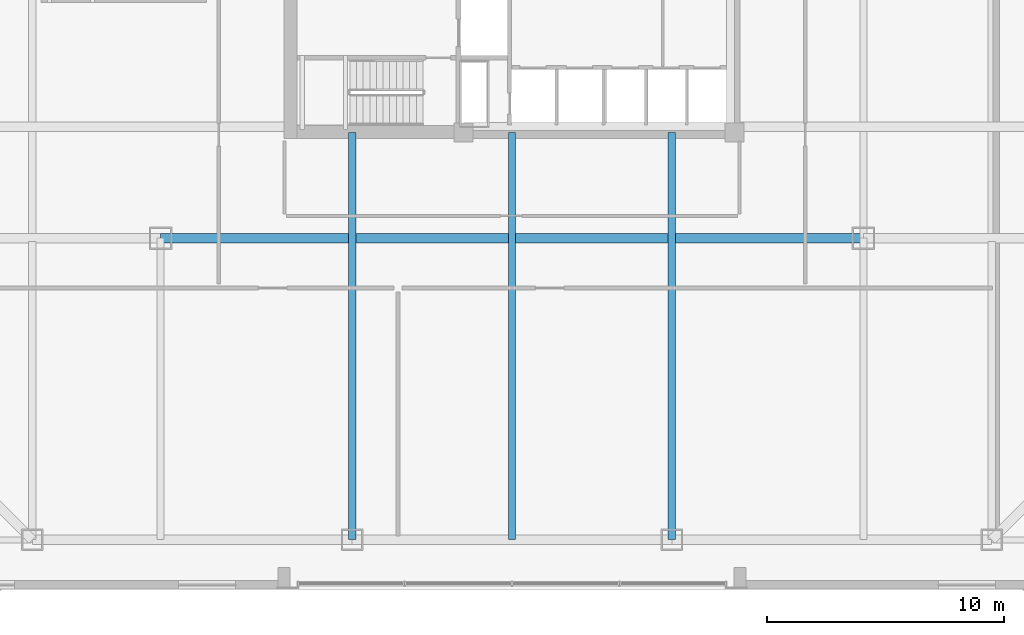
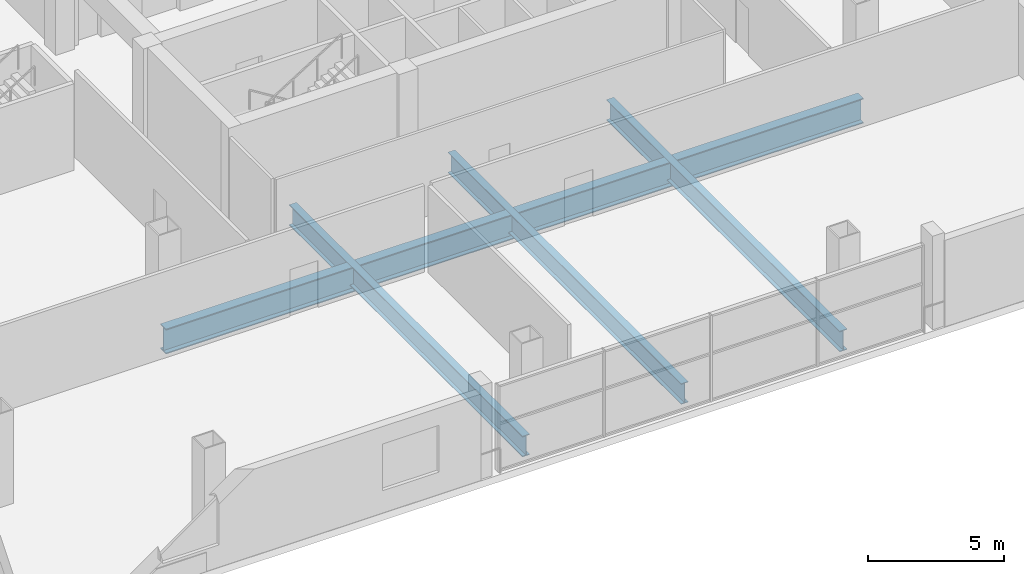
# One storey, part 5 of 21: 4 beams.
"""IFC4 building model written with IfcOpenShell, lengths in metres."""

from ifc_helpers import new_model, si_unit, direction, frame, origin, origin_2d, place, context, subcontext, project, spatial, i_section, extrude, material, material_profile, profile_set, type_object, element, save


model = new_model("IFC4")

# Units and contexts
model_context = context("Model", 3, precision=1e-05, world=origin(), true_north=direction((0.0, 1.0)))
body_context = subcontext(model_context, "Body", "Model", "MODEL_VIEW")
ifc_project = project(units=[si_unit("LENGTHUNIT", "METRE"), si_unit("AREAUNIT", "SQUARE_METRE"), si_unit("VOLUMEUNIT", "CUBIC_METRE"), si_unit("PLANEANGLEUNIT", "RADIAN"), si_unit("MASSUNIT", "GRAM", prefix="KILO")], contexts=[model_context])

# Site, building, storey
site_placement = place(None, origin())
site = spatial("IfcSite", under=ifc_project, at=site_placement, CompositionType="ELEMENT")
building_placement = place(site_placement, origin())
building = spatial("IfcBuilding", under=site, at=building_placement, Name="Qhalaya Broadcast Tower", CompositionType="ELEMENT")
storey_placement = place(building_placement, frame((0.0, 0.0, 13.5)))
storey = spatial("IfcBuildingStorey", under=building, at=storey_placement, Name="L03", CompositionType="ELEMENT", Elevation=13.5)

# Beams
ifc_material = material(Name="Structural Steel ASTM A992 Grade 50", Category="steel")
ifc_material_profile_1 = material_profile(ifc_material, i_section(OverallWidth=0.306884765625, OverallDepth=0.927001953125, WebThickness=0.019287109375, FlangeThickness=0.031982421875, at=origin_2d()), Name="W36X194")
ifc_profile_set_1 = profile_set([ifc_material_profile_1], Name="Structural Steel ASTM A992 Grade 50")
beam_type_1 = type_object("IfcBeamType", Name="Heavy Studio Floor Beam B01", PredefinedType="BEAM", material=ifc_profile_set_1)
for number, where, z_axis, x_axis, name in (
    (1, (-6.7333984375, -25.89990234375, -0.783447265625), (0.0, 1.0, 0.0), (-1.0, 0.0, 0.0), "L03 B01 L03-JS-CS-6.7"),
    (2, (0.0, -25.89990234375, -0.783447265625), (0.0, 1.0, 0.0), (-1.0, 0.0, 0.0), "L03 B01 L03-JS-CS+0.0"),
    (3, (6.7333984375, -25.89990234375, -0.783447265625), (0.0, 1.0, 0.0), (-1.0, 0.0, 0.0), "L03 B01 L03-JS-CS+6.7"),
):
    element("IfcBeam", number, at=place(storey_placement, frame(where, z_axis=z_axis, x_axis=x_axis)), inside=storey, type_object=beam_type_1, Name=name, PredefinedType="BEAM", context=body_context, shape_type="SweptSolid", body=[
        extrude(i_section(OverallWidth=0.306884765625, OverallDepth=0.927001953125, WebThickness=0.019287109375, FlangeThickness=0.031982421875, at=origin_2d()), origin(), (0.0, 0.0, 1.0), 17.14990234375),
    ])
ifc_material_profile_2 = material_profile(ifc_material, i_section(OverallWidth=0.404052734375, OverallDepth=1.117919921875, WebThickness=0.026123046875, FlangeThickness=0.044921875, at=origin_2d()), Name="W44X335")
ifc_profile_set_2 = profile_set([ifc_material_profile_2], Name="Structural Steel ASTM A992 Grade 50")
beam_type_2 = type_object("IfcBeamType", Name="Podium Long-Span Primary Girder PG1", PredefinedType="USERDEFINED", material=ifc_profile_set_2)
beam_placement = place(storey_placement, frame((-14.800048828125, -13.199951171875, -0.87890625), z_axis=(1.0, 0.0, 0.0), x_axis=(0.0, 1.0, 0.0)))
element("IfcBeam", 4, at=beam_placement, inside=storey, type_object=beam_type_2, Name="L03 PG1 L03-PG-GS3", ObjectType="GIRDER", PredefinedType="USERDEFINED", context=body_context, shape_type="SweptSolid", body=[
    extrude(i_section(OverallWidth=0.404052734375, OverallDepth=1.117919921875, WebThickness=0.026123046875, FlangeThickness=0.044921875, at=origin_2d()), origin(), (0.0, 0.0, 1.0), 29.60009765625),
])

save(model, "model.ifc")
